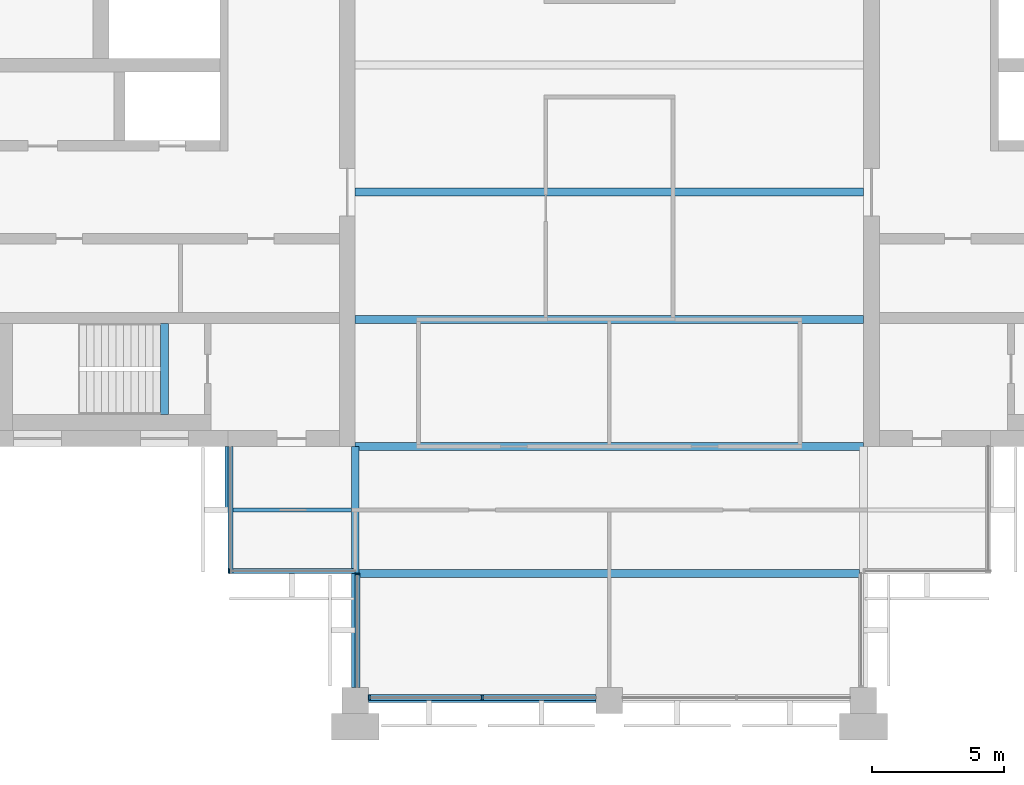
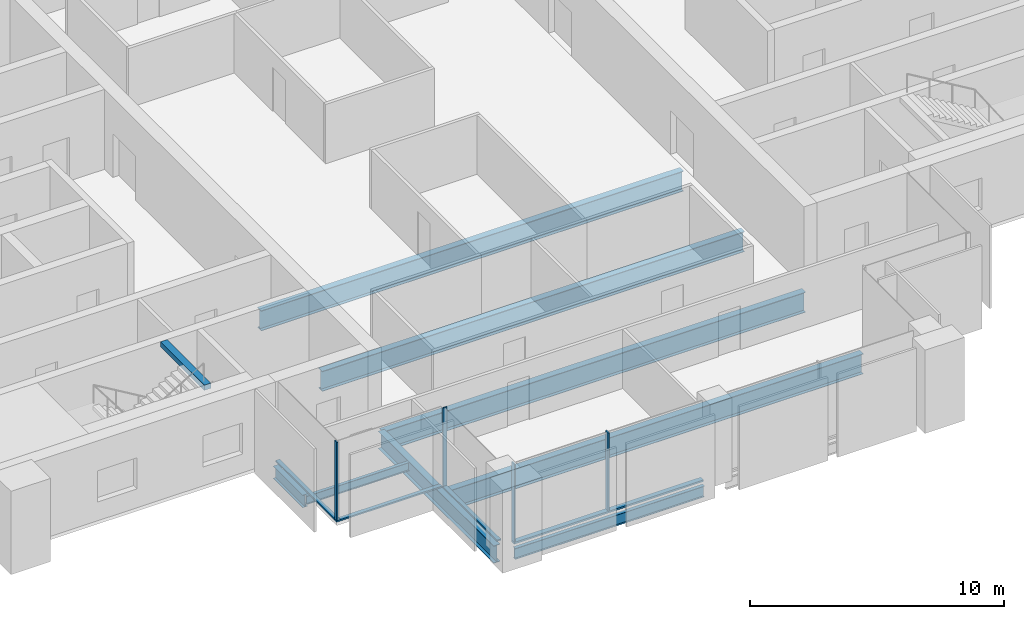
# One storey, part 2 of 12: 9 beams, 8 members, 4 elements without a shape of their own.
"""IFC4 building model written with IfcOpenShell, lengths in metres."""

from ifc_helpers import new_model, si_unit, direction, frame, origin, origin_2d, place, context, subcontext, project, spatial, rectangle, i_section, extrude, material, material_profile, profile_set, type_object, element, aggregate, save


model = new_model("IFC4")

# Units and contexts
model_context = context("Model", 3, precision=1e-05, world=origin(), true_north=direction((0.0, 1.0)))
body_context = subcontext(model_context, "Body", "Model", "MODEL_VIEW")
ifc_project = project(units=[si_unit("LENGTHUNIT", "METRE"), si_unit("AREAUNIT", "SQUARE_METRE"), si_unit("VOLUMEUNIT", "CUBIC_METRE"), si_unit("PLANEANGLEUNIT", "RADIAN"), si_unit("MASSUNIT", "GRAM", prefix="KILO")], contexts=[model_context])

# Site, building, storey
site_placement = place(None, origin())
site = spatial("IfcSite", under=ifc_project, at=site_placement, CompositionType="ELEMENT")
building_placement = place(site_placement, origin())
building = spatial("IfcBuilding", under=site, at=building_placement, Name="Baori Bourse Tower", CompositionType="ELEMENT")
storey_placement = place(building_placement, frame((0.0, 0.0, 298.300048828125)))
storey = spatial("IfcBuildingStorey", under=building, at=storey_placement, Name="L65", CompositionType="ELEMENT", Elevation=298.300048828125)

# Curtain wall, member
ifc_material_1 = material(Name="Pale anodised aluminium", Category="aluminium")
curtain_wall_type_1 = type_object("IfcCurtainWallType", Name="CW2 Curtain wall", PredefinedType="NOTDEFINED", material=ifc_material_1)
curtain_wall_1_placement = place(storey_placement, origin())
curtain_wall_1 = element("IfcCurtainWall", 1, at=curtain_wall_1_placement, inside=storey, type_object=curtain_wall_type_1, Name="Curtain wall CW2 L65 9", PredefinedType="NOTDEFINED")
ifc_material_2 = material(Name="Pale anodised aluminium", Category="aluminium")
ifc_material_profile_1 = material_profile(ifc_material_2, rectangle(XDim=0.179931640625, YDim=0.054931640625, at=origin_2d()), Name="Mullion 55x180")
ifc_profile_set_1 = profile_set([ifc_material_profile_1], Name="Pale anodised aluminium")
member_type_1 = type_object("IfcMemberType", Name="CW2 Curtain wall mullion", PredefinedType="MULLION", material=ifc_profile_set_1)
member_1_placement = place(storey_placement, frame((14.427490234375, 4.889892578125, 0.070068359375), z_axis=(0.0, 0.0, 1.0), x_axis=(0.0, 1.0, 0.0)))
member_1 = element("IfcMember", 2, at=member_1_placement, type_object=member_type_1, Name="Curtain wall CW2 mullion", PredefinedType="MULLION", context=body_context, shape_type="SweptSolid", body=[
    extrude(rectangle(XDim=0.179931640625, YDim=0.054931640625, at=origin_2d()), origin(), (0.0, 0.0, 1.0), 3.769775390625),
])

curtain_wall_2_placement = place(storey_placement, origin())
curtain_wall_2 = element("IfcCurtainWall", 3, at=curtain_wall_2_placement, inside=storey, type_object=curtain_wall_type_1, Name="Curtain wall CW2 L65 10", PredefinedType="NOTDEFINED")
member_2_placement = place(storey_placement, frame((19.2900390625, 4.7724609375, 0.070068359375), z_axis=(0.0, 0.0, 1.0), x_axis=(1.0, 0.0, 0.0)))
member_2 = element("IfcMember", 4, at=member_2_placement, type_object=member_type_1, Name="Curtain wall CW2 mullion", PredefinedType="MULLION", context=body_context, shape_type="SweptSolid", body=[
    extrude(rectangle(XDim=0.179931640625, YDim=0.054931640625, at=origin_2d()), origin(), (0.0, 0.0, 1.0), 3.769775390625),
])

curtain_wall_3_placement = place(storey_placement, origin())
curtain_wall_3 = element("IfcCurtainWall", 5, at=curtain_wall_3_placement, inside=storey, type_object=curtain_wall_type_1, Name="Curtain wall CW2 L65 8", PredefinedType="NOTDEFINED")
ifc_material_3 = material(Name="Pale anodised aluminium", Category="aluminium")
ifc_material_profile_2 = material_profile(ifc_material_3, rectangle(XDim=0.179931640625, YDim=0.070068359375, at=origin_2d()), Name="Transom 70x180")
ifc_profile_set_2 = profile_set([ifc_material_profile_2], Name="Pale anodised aluminium")
member_type_2 = type_object("IfcMemberType", Name="CW2 Curtain wall transom", PredefinedType="USERDEFINED", material=ifc_profile_set_2)
member_3_placement = place(storey_placement, frame((14.489990234375, 9.60009765625, 0.034912109375), z_axis=(0.0, -1.0, 0.0), x_axis=(1.0, 0.0, 0.0)))
member_3 = element("IfcMember", 6, at=member_3_placement, type_object=member_type_2, Name="Curtain wall CW2 sill rail", ObjectType="TRANSOM", PredefinedType="USERDEFINED", context=body_context, shape_type="SweptSolid", body=[
    extrude(rectangle(XDim=0.179931640625, YDim=0.070068359375, at=origin_2d()), origin(), (0.0, 0.0, 1.0), 4.800048828125),
])
aggregate(curtain_wall_3, [member_3])

# Member
member_4_placement = place(storey_placement, frame((14.39990234375, 4.889892578125, 0.034912109375), z_axis=(1.0, 0.0, 0.0), x_axis=(0.0, 1.0, 0.0)))
member_4 = element("IfcMember", 7, at=member_4_placement, type_object=member_type_2, Name="Curtain wall CW2 sill rail", ObjectType="TRANSOM", PredefinedType="USERDEFINED", context=body_context, shape_type="SweptSolid", body=[
    extrude(rectangle(XDim=0.179931640625, YDim=0.070068359375, at=origin_2d()), origin(), (0.0, 0.0, 1.0), 4.800048828125),
])

aggregate(curtain_wall_1, [member_4, member_1])

member_5_placement = place(storey_placement, frame((19.2900390625, 4.800048828125, 0.034912109375), z_axis=(0.0, -1.0, 0.0), x_axis=(1.0, 0.0, 0.0)))
member_5 = element("IfcMember", 8, at=member_5_placement, type_object=member_type_2, Name="Curtain wall CW2 sill rail", ObjectType="TRANSOM", PredefinedType="USERDEFINED", context=body_context, shape_type="SweptSolid", body=[
    extrude(rectangle(XDim=0.179931640625, YDim=0.070068359375, at=origin_2d()), origin(), (0.0, 0.0, 1.0), 4.300048828125),
])

aggregate(curtain_wall_2, [member_5, member_2])

# Curtain wall, members
ifc_material_4 = material(Name="Pale anodised aluminium", Category="aluminium")
curtain_wall_type_2 = type_object("IfcCurtainWallType", Name="CW5 Curtain wall", PredefinedType="NOTDEFINED", material=ifc_material_4)
curtain_wall_4_placement = place(storey_placement, origin())
curtain_wall_4 = element("IfcCurtainWall", 9, at=curtain_wall_4_placement, inside=storey, type_object=curtain_wall_type_2, Name="Curtain wall CW5 L65 11", PredefinedType="NOTDEFINED")
ifc_material_5 = material(Name="Pale anodised aluminium", Category="aluminium")
ifc_material_profile_3 = material_profile(ifc_material_5, rectangle(XDim=0.219970703125, YDim=0.06494140625, at=origin_2d()), Name="Mullion 65x220")
ifc_profile_set_3 = profile_set([ifc_material_profile_3], Name="Pale anodised aluminium")
member_type_3 = type_object("IfcMemberType", Name="CW5 Curtain wall mullion", PredefinedType="MULLION", material=ifc_profile_set_3)
member_6_placement = place(storey_placement, frame((19.732421875, 0.110107421875, 0.0849609375), z_axis=(0.0, 0.0, 1.0), x_axis=(0.0, 1.0, 0.0)))
member_6 = element("IfcMember", 10, at=member_6_placement, type_object=member_type_3, Name="Curtain wall CW5 mullion", PredefinedType="MULLION", context=body_context, shape_type="SweptSolid", body=[
    extrude(rectangle(XDim=0.219970703125, YDim=0.06494140625, at=origin_2d()), origin(), (0.0, 0.0, 1.0), 3.7548828125),
])
member_7_placement = place(storey_placement, frame((24.0, 0.110107421875, 0.0849609375), z_axis=(0.0, 0.0, 1.0), x_axis=(0.0, 1.0, 0.0)))
member_7 = element("IfcMember", 11, at=member_7_placement, type_object=member_type_3, Name="Curtain wall CW5 mullion", PredefinedType="MULLION", context=body_context, shape_type="SweptSolid", body=[
    extrude(rectangle(XDim=0.219970703125, YDim=0.06494140625, at=origin_2d()), origin(), (0.0, 0.0, 1.0), 3.7548828125),
])
ifc_material_6 = material(Name="Pale anodised aluminium", Category="aluminium")
ifc_material_profile_4 = material_profile(ifc_material_6, rectangle(XDim=0.219970703125, YDim=0.0849609375, at=origin_2d()), Name="Transom 85x220")
ifc_profile_set_4 = profile_set([ifc_material_profile_4], Name="Pale anodised aluminium")
member_type_4 = type_object("IfcMemberType", Name="CW5 Curtain wall transom", PredefinedType="USERDEFINED", material=ifc_profile_set_4)
member_8_placement = place(storey_placement, frame((19.699951171875, 0.110107421875, 0.04248046875), z_axis=(1.0, 0.0, 0.0), x_axis=(0.0, 1.0, 0.0)))
member_8 = element("IfcMember", 12, at=member_8_placement, type_object=member_type_4, Name="Curtain wall CW5 sill rail", ObjectType="TRANSOM", PredefinedType="USERDEFINED", context=body_context, shape_type="SweptSolid", body=[
    extrude(rectangle(XDim=0.219970703125, YDim=0.0849609375, at=origin_2d()), origin(), (0.0, 0.0, 1.0), 8.60009765625),
])
aggregate(curtain_wall_4, [member_8, member_6, member_7])

# Beams
ifc_material_7 = material(Name="Steel A992 Gr 50", Category="steel")
ifc_material_profile_5 = material_profile(ifc_material_7, i_section(OverallWidth=0.227783203125, OverallDepth=0.60205078125, WebThickness=0.010498046875, FlangeThickness=0.014892578125, at=origin_2d()), Name="W24x68")
ifc_profile_set_5 = profile_set([ifc_material_profile_5], Name="Steel A992 Gr 50")
beam_type_1 = type_object("IfcBeamType", Name="Core bracket W24x68", PredefinedType="BEAM", material=ifc_profile_set_5)
beam_1_placement = place(storey_placement, frame((14.39990234375, 7.270263671875, -0.4609375), z_axis=(0.0, 1.0, 0.0), x_axis=(-1.0, 0.0, 0.0)))
element("IfcBeam", 13, at=beam_1_placement, inside=storey, type_object=beam_type_1, Name="Core bracket L65", PredefinedType="BEAM", context=body_context, shape_type="SweptSolid", body=[
    extrude(i_section(OverallWidth=0.227783203125, OverallDepth=0.60205078125, WebThickness=0.010498046875, FlangeThickness=0.014892578125, at=origin_2d()), origin(), (0.0, 0.0, 1.0), 2.329833984375),
])
ifc_material_8 = material(Name="Steel A992 Gr 50", Category="steel")
ifc_material_profile_6 = material_profile(ifc_material_8, i_section(OverallWidth=0.1650390625, OverallDepth=0.52587890625, WebThickness=0.0087890625, FlangeThickness=0.011474609375, at=origin_2d()), Name="W21x44")
ifc_profile_set_6 = profile_set([ifc_material_profile_6], Name="Steel A992 Gr 50")
beam_type_2 = type_object("IfcBeamType", Name="Edge beam W21x44", PredefinedType="BEAM", material=ifc_profile_set_6)
beam_2_placement = place(storey_placement, frame((19.699951171875, 0.0, -0.4228515625), z_axis=(1.0, 0.0, 0.0), x_axis=(0.0, 1.0, 0.0)))
element("IfcBeam", 14, at=beam_2_placement, inside=storey, type_object=beam_type_2, Name="Edge beam L65", PredefinedType="BEAM", context=body_context, shape_type="SweptSolid", body=[
    extrude(i_section(OverallWidth=0.1650390625, OverallDepth=0.52587890625, WebThickness=0.0087890625, FlangeThickness=0.011474609375, at=origin_2d()), origin(), (0.0, 0.0, 1.0), 8.60009765625),
])
ifc_material_9 = material(Name="Steel A992 Gr 50", Category="steel")
ifc_material_profile_7 = material_profile(ifc_material_9, i_section(OverallWidth=0.2998046875, OverallDepth=0.97021484375, WebThickness=0.01611328125, FlangeThickness=0.02099609375, at=origin_2d()), Name="W40x149")
ifc_profile_set_7 = profile_set([ifc_material_profile_7], Name="Steel A992 Gr 50")
beam_type_3 = type_object("IfcBeamType", Name="Floor beam W40x149", PredefinedType="BEAM", material=ifc_profile_set_7)
beam_3_placement = place(storey_placement, frame((19.345947265625, 4.800048828125, -0.645263671875), z_axis=(1.0, 0.0, 0.0), x_axis=(0.0, 1.0, 0.0)))
element("IfcBeam", 15, at=beam_3_placement, inside=storey, type_object=beam_type_3, Name="Floor beam L65", PredefinedType="BEAM", context=body_context, shape_type="SweptSolid", body=[
    extrude(i_section(OverallWidth=0.2998046875, OverallDepth=0.97021484375, WebThickness=0.01611328125, FlangeThickness=0.02099609375, at=origin_2d()), origin(), (0.0, 0.0, 1.0), 18.907958984375),
])
for number, where, z_axis, x_axis, name in (
    (16, (19.199951171875, 9.60009765625, -0.645263671875), (1.0, 0.0, 0.0), (0.0, 1.0, 0.0), "Floor beam L65"),
    (17, (19.199951171875, 14.39990234375, -0.645263671875), (1.0, 0.0, 0.0), (0.0, 1.0, 0.0), "Floor beam L65"),
    (18, (19.199951171875, 19.199951171875, -0.645263671875), (1.0, 0.0, 0.0), (0.0, 1.0, 0.0), "Floor beam L65"),
):
    element("IfcBeam", number, at=place(storey_placement, frame(where, z_axis=z_axis, x_axis=x_axis)), inside=storey, type_object=beam_type_3, Name=name, PredefinedType="BEAM", context=body_context, shape_type="SweptSolid", body=[
        extrude(i_section(OverallWidth=0.2998046875, OverallDepth=0.97021484375, WebThickness=0.01611328125, FlangeThickness=0.02099609375, at=origin_2d()), origin(), (0.0, 0.0, 1.0), 19.199951171875),
    ])
ifc_material_10 = material(Name="Steel A992 Gr 50", Category="steel")
ifc_material_profile_8 = material_profile(ifc_material_10, i_section(OverallWidth=0.2919921875, OverallDepth=0.835693359375, WebThickness=0.013916015625, FlangeThickness=0.018798828125, at=origin_2d()), Name="W33x118")
ifc_profile_set_8 = profile_set([ifc_material_profile_8], Name="Steel A992 Gr 50")
beam_type_4 = type_object("IfcBeamType", Name="Girder W33x118", PredefinedType="BEAM", material=ifc_profile_set_8)
beam_4_placement = place(storey_placement, frame((19.199951171875, 0.5, -0.577880859375), z_axis=(0.0, 1.0, 0.0), x_axis=(-1.0, 0.0, 0.0)))
element("IfcBeam", 19, at=beam_4_placement, inside=storey, type_object=beam_type_4, Name="Girder L65", PredefinedType="BEAM", context=body_context, shape_type="SweptSolid", body=[
    extrude(i_section(OverallWidth=0.2919921875, OverallDepth=0.835693359375, WebThickness=0.013916015625, FlangeThickness=0.018798828125, at=origin_2d()), origin(), (0.0, 0.0, 1.0), 9.10009765625),
])
ifc_material_11 = material(Name="Concrete f'c 50 MPa", Category="concrete")
ifc_material_profile_9 = material_profile(ifc_material_11, rectangle(XDim=0.300048828125, YDim=0.25, at=origin_2d()), Name="RC 300x250")
ifc_profile_set_9 = profile_set([ifc_material_profile_9], Name="Concrete f'c 50 MPa")
beam_type_5 = type_object("IfcBeamType", Name="Stair nib beam RC 300x250", PredefinedType="BEAM", material=ifc_profile_set_9)
beam_5_placement = place(storey_placement, frame((12.0, 10.800048828125, 3.71484375), z_axis=(0.0, 1.0, 0.0), x_axis=(-1.0, 0.0, 0.0)))
element("IfcBeam", 20, at=beam_5_placement, inside=storey, type_object=beam_type_5, Name="Stair WA nib beam L66", PredefinedType="BEAM", context=body_context, shape_type="SweptSolid", body=[
    extrude(rectangle(XDim=0.300048828125, YDim=0.25, at=origin_2d()), origin(), (0.0, 0.0, 1.0), 3.449951171875),
])
ifc_material_12 = material(Name="Steel A992 Gr 50", Category="steel")
ifc_material_profile_10 = material_profile(ifc_material_12, i_section(OverallWidth=0.140380859375, OverallDepth=0.40380859375, WebThickness=0.007080078125, FlangeThickness=0.01123046875, at=origin_2d()), Name="W16x31")
ifc_profile_set_10 = profile_set([ifc_material_profile_10], Name="Steel A992 Gr 50")
beam_type_6 = type_object("IfcBeamType", Name="Trimmer beam W16x31", PredefinedType="BEAM", material=ifc_profile_set_10)
beam_6_placement = place(storey_placement, frame((14.39990234375, 7.199951171875, -0.362060546875), z_axis=(1.0, 0.0, 0.0), x_axis=(0.0, 1.0, 0.0)))
element("IfcBeam", 21, at=beam_6_placement, inside=storey, type_object=beam_type_6, Name="Trimmer beam L65", PredefinedType="BEAM", context=body_context, shape_type="SweptSolid", body=[
    extrude(i_section(OverallWidth=0.140380859375, OverallDepth=0.40380859375, WebThickness=0.007080078125, FlangeThickness=0.01123046875, at=origin_2d()), origin(), (0.0, 0.0, 1.0), 4.654052734375),
])

save(model, "model.ifc")
